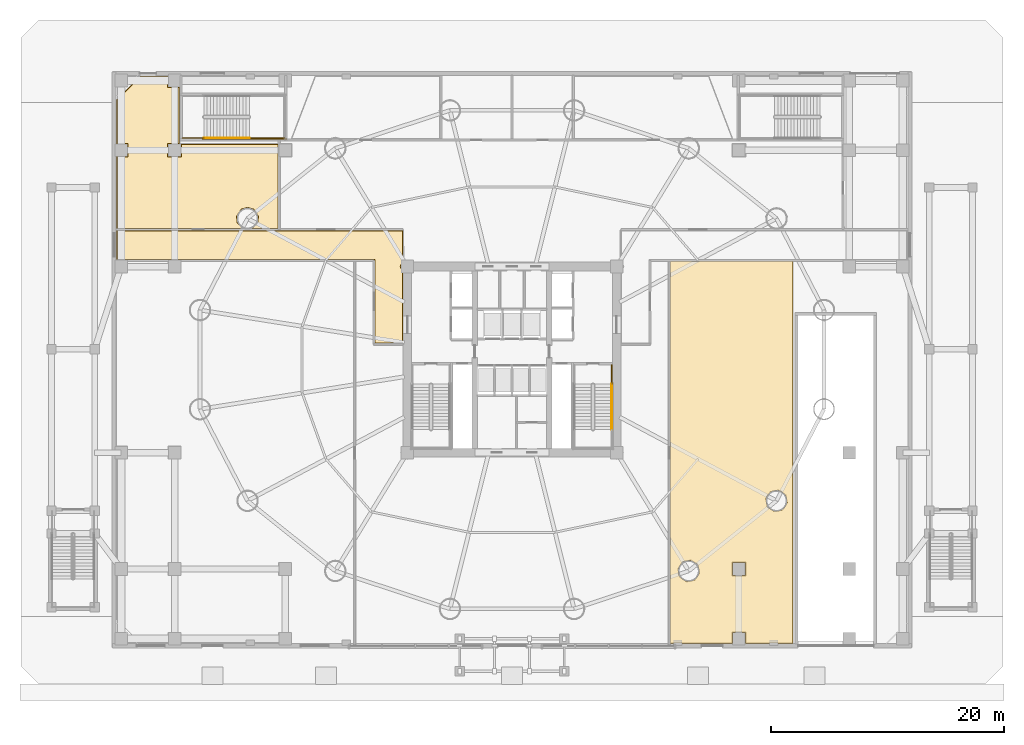
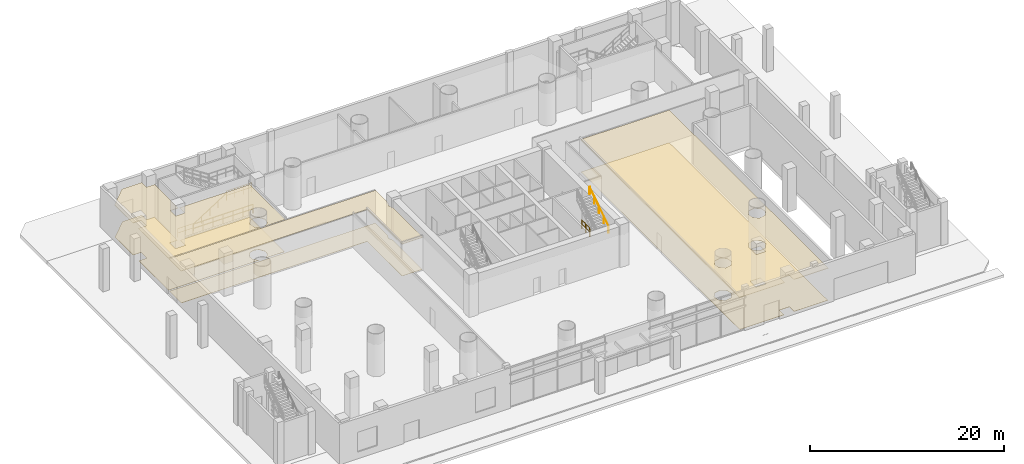
# One storey, part 19 of 25: 6 coverings, 6 railings.
"""IFC4 building model written with IfcOpenShell, lengths in metres."""

import ifcopenshell
import ifcopenshell.guid

model = None  # the IFC model being written
_history = None  # IfcOwnerHistory: only IFC2X3 demands one
_inside = {}  # id of a spatial element -> (the spatial element, [elements in it])
_under = {}  # id of a project, library or spatial element -> (it, [spatial elements below it])
_declared = {}  # id of a project -> (the project, [libraries it declares])
_typed = {}  # id of a type object -> (the type object, [elements of that type])
_made_of = {}  # id of a material, layer set ... -> (it, [elements and type objects made of it])


def new_model(schema):
    """Start an empty IFC model of exactly this schema.

    Asked for "IFC4X3", IfcOpenShell would pick the latest addendum, in which some entities
    have other attributes; the version numbers below select the first issue.
    IFC2X3 requires an IfcOwnerHistory on every rooted entity: one is made here for all.
    """
    global model, _history
    if schema == "IFC4X3":
        model = ifcopenshell.file(schema_version=(4, 3, 0, 0))
    else:
        model = ifcopenshell.file(schema=schema)
    _inside.clear()
    _under.clear()
    _declared.clear()
    _typed.clear()
    _made_of.clear()
    _history = None
    if model.schema == "IFC2X3":
        org = make("IfcOrganization", Name="unknown")
        user = make(
            "IfcPersonAndOrganization",
            ThePerson=make("IfcPerson", FamilyName="unknown"),
            TheOrganization=org,
        )
        app = make(
            "IfcApplication",
            ApplicationDeveloper=org,
            Version="unknown",
            ApplicationFullName="unknown",
            ApplicationIdentifier="unknown",
        )
        _history = make(
            "IfcOwnerHistory",
            OwningUser=user,
            OwningApplication=app,
            ChangeAction="ADDED",
            CreationDate=0,
        )
    return model


def make(cls, **values):
    """One entity of the class cls with the attributes given. An attribute that is None is left unset."""
    return model.create_entity(
        cls, **{name: value for name, value in values.items() if value is not None}
    )


def rooted(cls, **values):
    """An entity with a GlobalId (a new one), such as an element, a storey or a relation."""
    return make(cls, GlobalId=ifcopenshell.guid.new(), OwnerHistory=_history, **values)


def si_unit(unit_type, name, prefix=None):
    """IfcSIUnit, for example si_unit("LENGTHUNIT", "METRE", prefix="MILLI")."""
    return make("IfcSIUnit", UnitType=unit_type, Prefix=prefix, Name=name)


def assignment(units):
    """IfcUnitAssignment: the units of a project."""
    return None if units is None else make("IfcUnitAssignment", Units=units)


def point(xyz):
    """IfcCartesianPoint."""
    return None if xyz is None else make("IfcCartesianPoint", Coordinates=xyz)


def direction(xyz):
    """IfcDirection."""
    return None if xyz is None else make("IfcDirection", DirectionRatios=xyz)


def frame(location, z_axis=None, x_axis=None):
    """IfcAxis2Placement3D, a coordinate frame: its origin and axes. An axis left out is left unset."""
    return make(
        "IfcAxis2Placement3D",
        Location=point(location),
        Axis=direction(z_axis),
        RefDirection=direction(x_axis),
    )


def frame_2d(location, x_axis=None):
    """IfcAxis2Placement2D, a coordinate frame in the plane: its origin and x axis."""
    return make(
        "IfcAxis2Placement2D", Location=point(location), RefDirection=direction(x_axis)
    )


def origin():
    """The frame at (0, 0, 0) with its axes left unset."""
    return frame((0.0, 0.0, 0.0))


def origin_2d():
    """The frame at (0, 0) in the plane with its x axis left unset."""
    return frame_2d((0.0, 0.0))


def place(relative_to, where):
    """IfcLocalPlacement: puts the frame where relative to a parent placement (None: the world)."""
    return make(
        "IfcLocalPlacement", PlacementRelTo=relative_to, RelativePlacement=where
    )


def context(
    kind, dimensions, precision=None, world=None, true_north=None, identifier=None
):
    """IfcGeometricRepresentationContext, for example the 3D "Model" context."""
    return make(
        "IfcGeometricRepresentationContext",
        ContextIdentifier=identifier,
        ContextType=kind,
        CoordinateSpaceDimension=dimensions,
        Precision=precision,
        WorldCoordinateSystem=world,
        TrueNorth=true_north,
    )


def subcontext(parent, identifier, kind, view, scale=None):
    """IfcGeometricRepresentationSubContext, for example "Body" below "Model"."""
    return make(
        "IfcGeometricRepresentationSubContext",
        ContextIdentifier=identifier,
        ContextType=kind,
        ParentContext=parent,
        TargetScale=scale,
        TargetView=view,
    )


def project(units=None, contexts=None):
    """IfcProject with its units and contexts."""
    return rooted(
        "IfcProject",
        Name="project",
        RepresentationContexts=contexts,
        UnitsInContext=assignment(units),
    )


def spatial(cls, under=None, at=None, **own):
    """A site, building, storey or space (cls), placed at a placement, below another one or the project."""
    s = rooted(cls, ObjectPlacement=at, **own)
    if under is not None:
        _under.setdefault(under.id(), (under, []))[1].append(s)
    return s


def polyline(points):
    """IfcPolyline through the points."""
    return make("IfcPolyline", Points=[point(p) for p in points])


def profile(cls, at=None, kind="AREA", **sizes):
    """A parametric profile (cls). Its sizes go by their IFC names, for example OverallWidth=200.0."""
    return make(cls, ProfileType=kind, Position=at, **sizes)


def rectangle(**sizes):
    """IfcRectangleProfileDef."""
    return profile("IfcRectangleProfileDef", **sizes)


def outline(outer, holes=None, kind="AREA"):
    """IfcArbitraryClosedProfileDef: a profile drawn as a closed curve; with holes, ...WithVoids."""
    if holes is None:
        return make("IfcArbitraryClosedProfileDef", ProfileType=kind, OuterCurve=outer)
    return make(
        "IfcArbitraryProfileDefWithVoids",
        ProfileType=kind,
        OuterCurve=outer,
        InnerCurves=holes,
    )


def extrude(swept, where, along, depth):
    """IfcExtrudedAreaSolid: the profile swept, set in the frame where, extruded along a direction by depth."""
    return make(
        "IfcExtrudedAreaSolid",
        SweptArea=swept,
        Position=where,
        ExtrudedDirection=direction(along),
        Depth=depth,
    )


def shape(context_of_items, identifier, shape_type, items):
    """IfcShapeRepresentation: the items that make up one representation, for example the "Body"."""
    return make(
        "IfcShapeRepresentation",
        ContextOfItems=context_of_items,
        RepresentationIdentifier=identifier,
        RepresentationType=shape_type,
        Items=items,
    )


def material(Name=None, Category=None):
    """IfcMaterial."""
    return make("IfcMaterial", Name=Name, Category=Category)


def layer(
    of_material, thickness, ventilated=None, Name=None, Category=None, Priority=None
):
    """IfcMaterialLayer: one layer of a wall or slab, of a material (None: an air gap)."""
    return make(
        "IfcMaterialLayer",
        Material=of_material,
        LayerThickness=thickness,
        IsVentilated=ventilated,
        Name=Name,
        Category=Category,
        Priority=Priority,
    )


def layer_set(layers, Name=None):
    """IfcMaterialLayerSet."""
    return make("IfcMaterialLayerSet", MaterialLayers=layers, LayerSetName=Name)


def made_of(thing, what):
    """Note that an element or type object is made of a material, layer set ...; save() writes the relation."""
    if what is not None:
        _made_of.setdefault(what.id(), (what, []))[1].append(thing)
    return thing


def type_object(cls, material=None, **own):
    """A type object (cls), such as IfcWallType, which elements share."""
    return made_of(rooted(cls, **own), material)


def element(
    cls,
    number,
    at=None,
    inside=None,
    cuts=None,
    type_object=None,
    material=None,
    context=None,
    identifier="Body",
    shape_type=None,
    held_by="IfcProductDefinitionShape",
    body=None,
    shapes=None,
    **own,
):
    """One element of the class cls, such as IfcWall. Its Tag is "e" and its number.

    at: its placement. inside: the storey or other place that contains it. cuts: it is an
    opening in that element (IfcRelVoidsElement). A single representation is given by context,
    identifier, shape_type and body (its items); several are given by shapes. held_by: the class
    of the entity that holds the representations. save() writes the other relations.
    """
    e = rooted(cls, Tag="e%d" % number, ObjectPlacement=at, **own)
    if body is not None:
        shapes = [shape(context, identifier, shape_type, body)]
    if shapes is not None:
        e.Representation = make(held_by, Representations=shapes)
    if inside is not None:
        _inside.setdefault(inside.id(), (inside, []))[1].append(e)
    if cuts is not None:
        rooted(
            "IfcRelVoidsElement", RelatingBuildingElement=cuts, RelatedOpeningElement=e
        )
    if type_object is not None:
        _typed.setdefault(type_object.id(), (type_object, []))[1].append(e)
    return made_of(e, material)


def aggregate(whole, parts):
    """IfcRelAggregates: a whole, such as a stair, and the parts it consists of."""
    return rooted("IfcRelAggregates", RelatingObject=whole, RelatedObjects=parts)


def save(model, path):
    """Write the relations noted so far, then the file.

    IfcRelAggregates (storeys below a building ...), IfcRelContainedInSpatialStructure (elements
    in a storey), IfcRelDefinesByType, IfcRelAssociatesMaterial and IfcRelDeclares: one each for
    every whole, place, type object, material and project.
    """
    for whole, parts in _under.values():
        aggregate(whole, parts)
    for where, things in _inside.values():
        rooted(
            "IfcRelContainedInSpatialStructure",
            RelatedElements=things,
            RelatingStructure=where,
        )
    for kind, things in _typed.values():
        rooted("IfcRelDefinesByType", RelatedObjects=things, RelatingType=kind)
    for what, things in _made_of.values():
        rooted("IfcRelAssociatesMaterial", RelatedObjects=things, RelatingMaterial=what)
    for by, libraries in _declared.values():
        rooted("IfcRelDeclares", RelatingContext=by, RelatedDefinitions=libraries)
    model.write(path)


model = new_model("IFC4")

# Units and contexts
model_context = context("Model", 3, precision=1e-05, world=origin(), true_north=direction((-0.2419218956, 0.970295726276)))
body_context = subcontext(model_context, "Body", "Model", "MODEL_VIEW")
ifc_project = project(units=[si_unit("LENGTHUNIT", "METRE"), si_unit("AREAUNIT", "SQUARE_METRE"), si_unit("VOLUMEUNIT", "CUBIC_METRE"), si_unit("PLANEANGLEUNIT", "RADIAN"), si_unit("MASSUNIT", "GRAM", prefix="KILO")], contexts=[model_context])

# Site, building, storey
site_placement = place(None, origin())
site = spatial("IfcSite", under=ifc_project, at=site_placement, CompositionType="ELEMENT")
building_placement = place(site_placement, origin())
building = spatial("IfcBuilding", under=site, at=building_placement, Name="Cobrevalo Terracotta Tower", CompositionType="ELEMENT")
storey_placement = place(building_placement, origin())
storey = spatial("IfcBuildingStorey", under=building, at=storey_placement, Name="L00", CompositionType="ELEMENT", Elevation=0.0)

# Coverings
ifc_material_1 = material(Name="Honed terracotta and granite tile", Category="masonry")
ifc_layer_1 = layer(ifc_material_1, 0.034912109375)
ifc_layer_set_1 = layer_set([ifc_layer_1], Name="Honed terracotta and granite tile")
covering_type_1 = type_object("IfcCoveringType", Name="Honed Terracotta & Granite Interior Flooring 35", PredefinedType="FLOORING", material=ifc_layer_set_1)
covering_1_placement = place(storey_placement, origin())
element("IfcCovering", 1, at=covering_1_placement, inside=storey, type_object=covering_type_1, Name="West Protected Exit Discharge Passage floor finish", PredefinedType="FLOORING", context=body_context, shape_type="SweptSolid", body=[
    extrude(outline(polyline([(28.60498046875, 37.8798828125), (28.60498046875, 35.267822265625), (28.379638671875, 34.800048828125), (28.60498046875, 34.33203125), (28.60498046875, 28.219970703125), (26.219970703125, 28.219970703125), (26.219970703125, 35.419921875), (4.0400390625, 35.419921875), (4.0400390625, 37.8798828125), (28.60498046875, 37.8798828125)])), origin(), (0.0, 0.0, 1.0), 0.030029296875),
])
covering_2_placement = place(storey_placement, origin())
element("IfcCovering", 2, at=covering_2_placement, inside=storey, type_object=covering_type_1, Name="South-East Cafe and Bakery Gallery floor finish", PredefinedType="FLOORING", context=body_context, shape_type="SweptSolid", body=[
    extrude(outline(polyline([(51.6201171875, 35.219970703125), (62.1298828125, 35.219970703125), (62.1298828125, 2.43994140625), (58.10009765625, 2.43994140625), (58.10009765625, 3.39990234375), (56.89990234375, 3.39990234375), (56.89990234375, 2.43994140625), (51.6201171875, 2.43994140625), (51.6201171875, 35.219970703125)]), holes=[polyline([(61.274169921875, 13.862548828125), (61.682373046875, 14.473388671875), (61.5390625, 15.194091796875), (60.927978515625, 15.6025390625), (60.207275390625, 15.458984375), (59.799072265625, 14.84814453125), (59.9423828125, 14.12744140625), (60.553466796875, 13.71923828125), (61.274169921875, 13.862548828125)]), polyline([(56.89990234375, 9.39990234375), (56.89990234375, 8.199951171875), (58.10009765625, 8.199951171875), (58.10009765625, 9.39990234375), (56.89990234375, 9.39990234375)]), polyline([(53.728271484375, 7.833984375), (54.136474609375, 8.445068359375), (53.9931640625, 9.165771484375), (53.382080078125, 9.573974609375), (52.661376953125, 9.4306640625), (52.253173828125, 8.819580078125), (52.396484375, 8.098876953125), (53.007568359375, 7.690673828125), (53.728271484375, 7.833984375)])]), origin(), (0.0, 0.0, 1.0), 0.030029296875),
])
covering_3_placement = place(storey_placement, origin())
element("IfcCovering", 3, at=covering_3_placement, inside=storey, type_object=covering_type_1, Name="North-West Florist Salon floor finish", PredefinedType="FLOORING", context=body_context, shape_type="SweptSolid", body=[
    extrude(outline(polyline([(6.078369140625, 51.159912109375), (8.39990234375, 51.159912109375), (8.39990234375, 50.199951171875), (9.35009765625, 50.199951171875), (9.35009765625, 45.39990234375), (8.39990234375, 45.39990234375), (8.39990234375, 44.199951171875), (9.60009765625, 44.199951171875), (9.60009765625, 45.280029296875), (17.8798828125, 45.280029296875), (17.8798828125, 38.080078125), (15.6787109375, 38.080078125), (16.146240234375, 38.57177734375), (16.200927734375, 39.12646484375), (15.792724609375, 39.737548828125), (15.25927734375, 39.8994140625), (14.725830078125, 39.737548828125), (14.317626953125, 39.12646484375), (14.372314453125, 38.57177734375), (14.83984375, 38.080078125), (4.0400390625, 38.080078125), (4.0400390625, 44.199951171875), (5.0, 44.199951171875), (5.0, 45.39990234375), (4.0400390625, 45.39990234375), (4.0400390625, 49.121826171875), (6.078369140625, 51.159912109375)])), origin(), (0.0, 0.0, 1.0), 0.030029296875),
])
ifc_material_2 = material(Name="Acoustic perforated gypsum ceiling", Category="gypsum")
ifc_layer_2 = layer(ifc_material_2, 0.050048828125)
ifc_layer_set_2 = layer_set([ifc_layer_2], Name="Acoustic perforated gypsum ceiling")
covering_type_2 = type_object("IfcCoveringType", Name="Perforated Acoustic Gypsum Ceiling 50", PredefinedType="CEILING", material=ifc_layer_set_2)
covering_4_placement = place(storey_placement, frame((0.0, 0.0, 4.06005859375)))
element("IfcCovering", 4, at=covering_4_placement, inside=storey, type_object=covering_type_2, Name="West Protected Exit Discharge Passage acoustic ceiling", PredefinedType="CEILING", context=body_context, shape_type="SweptSolid", body=[
    extrude(outline(polyline([(28.64990234375, 37.925048828125), (28.64990234375, 35.243896484375), (28.425537109375, 34.800048828125), (28.64990234375, 34.356201171875), (28.64990234375, 28.175048828125), (26.175048828125, 28.175048828125), (26.175048828125, 35.375), (3.9951171875, 35.375), (3.9951171875, 37.925048828125), (28.64990234375, 37.925048828125)])), origin(), (0.0, 0.0, 1.0), 0.050048828125),
])
covering_5_placement = place(storey_placement, frame((0.0, 0.0, 4.06005859375)))
element("IfcCovering", 5, at=covering_5_placement, inside=storey, type_object=covering_type_2, Name="South-East Cafe and Bakery Gallery acoustic ceiling", PredefinedType="CEILING", context=body_context, shape_type="SweptSolid", body=[
    extrude(outline(polyline([(51.574951171875, 35.264892578125), (62.175048828125, 35.264892578125), (62.175048828125, 2.39501953125), (58.054931640625, 2.39501953125), (58.054931640625, 3.35498046875), (56.945068359375, 3.35498046875), (56.945068359375, 2.39501953125), (51.574951171875, 2.39501953125), (51.574951171875, 35.264892578125)]), holes=[polyline([(61.2490234375, 13.900146484375), (61.637939453125, 14.482421875), (61.50146484375, 15.169189453125), (60.919189453125, 15.55810546875), (60.232421875, 15.42138671875), (59.843505859375, 14.83935546875), (59.97998046875, 14.152587890625), (60.562255859375, 13.763427734375), (61.2490234375, 13.900146484375)]), polyline([(56.945068359375, 9.35498046875), (56.945068359375, 8.2451171875), (58.054931640625, 8.2451171875), (58.054931640625, 9.35498046875), (56.945068359375, 9.35498046875)]), polyline([(53.703125, 7.87158203125), (54.092041015625, 8.453857421875), (53.95556640625, 9.140625), (53.373291015625, 9.52978515625), (52.6865234375, 9.39306640625), (52.297607421875, 8.810791015625), (52.43408203125, 8.1240234375), (53.016357421875, 7.735107421875), (53.703125, 7.87158203125)])]), origin(), (0.0, 0.0, 1.0), 0.050048828125),
])
covering_6_placement = place(storey_placement, frame((0.0, 0.0, 4.06005859375)))
element("IfcCovering", 6, at=covering_6_placement, inside=storey, type_object=covering_type_2, Name="North-West Florist Salon acoustic ceiling", PredefinedType="CEILING", context=body_context, shape_type="SweptSolid", body=[
    extrude(outline(polyline([(6.0595703125, 51.205078125), (8.445068359375, 51.205078125), (8.445068359375, 50.2451171875), (9.39501953125, 50.2451171875), (9.39501953125, 45.35498046875), (8.445068359375, 45.35498046875), (8.445068359375, 44.2451171875), (9.554931640625, 44.2451171875), (9.554931640625, 45.324951171875), (17.925048828125, 45.324951171875), (17.925048828125, 38.034912109375), (15.4990234375, 38.034912109375), (16.02001953125, 38.430908203125), (16.156494140625, 39.11767578125), (15.767578125, 39.699951171875), (15.25927734375, 39.85400390625), (14.7509765625, 39.699951171875), (14.362060546875, 39.11767578125), (14.49853515625, 38.430908203125), (15.01953125, 38.034912109375), (3.9951171875, 38.034912109375), (3.9951171875, 44.2451171875), (4.955078125, 44.2451171875), (4.955078125, 45.35498046875), (3.9951171875, 45.35498046875), (3.9951171875, 49.140380859375), (6.0595703125, 51.205078125)])), origin(), (0.0, 0.0, 1.0), 0.050048828125),
])

# Railings
ifc_material_3 = material(Name="Brushed stainless steel", Category="steel")
railing_type_1 = type_object("IfcRailingType", Name="Stainless Steel Stair Handrail 900", PredefinedType="HANDRAIL", material=ifc_material_3)
railing_1_placement = place(storey_placement, frame((46.574951171875, 20.780029296875, 2.8798828125)))
element("IfcRailing", 7, at=railing_1_placement, inside=storey, type_object=railing_type_1, Name="L00 ST-2 stair handrail 2", PredefinedType="HANDRAIL", context=body_context, shape_type="SweptSolid", body=[
    extrude(rectangle(XDim=0.048095703125, YDim=0.048095703125, at=origin_2d()), frame((0.0, 0.0, 0.8759765625), z_axis=(0.0, 0.841171666519, 0.540768182723), x_axis=(-1.0, 0.0, 0.0)), (0.0, 0.0, 1.0), 4.66015625),
    extrude(rectangle(XDim=0.0419921875, YDim=0.0419921875, at=origin_2d()), origin(), (0.0, 0.0, 1.0), 0.851806640625),
    extrude(rectangle(XDim=0.0419921875, YDim=0.0419921875, at=origin_2d()), frame((0.0, 0.97998046875, 0.6298828125)), (0.0, 0.0, 1.0), 0.851806640625),
    extrude(rectangle(XDim=0.0419921875, YDim=0.0419921875, at=origin_2d()), frame((0.0, 1.9599609375, 1.260009765625)), (0.0, 0.0, 1.0), 0.851806640625),
    extrude(rectangle(XDim=0.0419921875, YDim=0.0419921875, at=origin_2d()), frame((0.0, 2.93994140625, 1.89013671875)), (0.0, 0.0, 1.0), 0.851806640625),
    extrude(rectangle(XDim=0.0419921875, YDim=0.0419921875, at=origin_2d()), frame((0.0, 3.919921875, 2.52001953125)), (0.0, 0.0, 1.0), 0.851806640625),
])
railing_2_placement = place(storey_placement, frame((11.5, 45.85009765625, 0.179931640625)))
element("IfcRailing", 8, at=railing_2_placement, inside=storey, type_object=railing_type_1, Name="L00 ST-P1 stair handrail 1", PredefinedType="HANDRAIL", context=body_context, shape_type="SweptSolid", body=[
    extrude(rectangle(XDim=0.048095703125, YDim=0.048095703125, at=origin_2d()), frame((0.0, 0.0, 0.8759765625), z_axis=(0.841171666519, 0.0, 0.540768182723), x_axis=(0.0, 1.0, 0.0)), (0.0, 0.0, 1.0), 4.66015625),
    extrude(rectangle(XDim=0.0419921875, YDim=0.0419921875, at=origin_2d()), origin(), (0.0, 0.0, 1.0), 0.851806640625),
    extrude(rectangle(XDim=0.0419921875, YDim=0.0419921875, at=origin_2d()), frame((0.97998046875, 0.0, 0.6298828125)), (0.0, 0.0, 1.0), 0.851806640625),
    extrude(rectangle(XDim=0.0419921875, YDim=0.0419921875, at=origin_2d()), frame((1.9599609375, 0.0, 1.260009765625)), (0.0, 0.0, 1.0), 0.851806640625),
    extrude(rectangle(XDim=0.0419921875, YDim=0.0419921875, at=origin_2d()), frame((2.93994140625, 0.0, 1.89013671875)), (0.0, 0.0, 1.0), 0.851806640625),
    extrude(rectangle(XDim=0.0419921875, YDim=0.0419921875, at=origin_2d()), frame((3.919921875, 0.0, 2.52001953125)), (0.0, 0.0, 1.0), 0.851806640625),
])
ifc_material_4 = material(Name="Painted galvanized steel", Category="steel")
railing_type_2 = type_object("IfcRailingType", Name="Stair Well Guard Balustrade 1150", PredefinedType="GUARDRAIL", material=ifc_material_4)
railing_3_placement = place(storey_placement, frame((46.574951171875, 26.35009765625, 0.0)))
element("IfcRailing", 9, at=railing_3_placement, inside=storey, type_object=railing_type_2, Name="L00 ST-2 stair guard 9", PredefinedType="GUARDRAIL", context=body_context, shape_type="SweptSolid", body=[
    extrude(rectangle(XDim=0.048095703125, YDim=0.048095703125, at=origin_2d()), frame((0.0, 0.0, 1.1259765625), z_axis=(0.0, -1.0, 0.0), x_axis=(1.0, 0.0, 0.0)), (0.0, 0.0, 1.0), 1.650146484375),
    extrude(rectangle(XDim=0.048095703125, YDim=0.048095703125, at=origin_2d()), frame((0.0, 0.0, 0.574951171875), z_axis=(0.0, -1.0, 0.0), x_axis=(1.0, 0.0, 0.0)), (0.0, 0.0, 1.0), 1.650146484375),
    extrude(rectangle(XDim=0.0419921875, YDim=0.0419921875, at=origin_2d()), origin(), (0.0, 0.0, 1.0), 1.101806640625),
    extrude(rectangle(XDim=0.0419921875, YDim=0.0419921875, at=origin_2d()), frame((0.0, -0.8251953125, 0.0)), (0.0, 0.0, 1.0), 1.101806640625),
    extrude(rectangle(XDim=0.0419921875, YDim=0.0419921875, at=origin_2d()), frame((0.0, -1.650146484375, 0.0)), (0.0, 0.0, 1.0), 1.101806640625),
])
railing_4_placement = place(storey_placement, frame((15.419921875, 45.85009765625, 2.699951171875)))
element("IfcRailing", 10, at=railing_4_placement, inside=storey, type_object=railing_type_2, Name="L00 ST-P1 stair guard 3", PredefinedType="GUARDRAIL", context=body_context, shape_type="SweptSolid", body=[
    extrude(rectangle(XDim=0.048095703125, YDim=0.048095703125, at=origin_2d()), frame((0.0, 0.0, 1.1259765625), z_axis=(1.0, 0.0, 0.0), x_axis=(0.0, 1.0, 0.0)), (0.0, 0.0, 1.0), 3.030029296875),
    extrude(rectangle(XDim=0.048095703125, YDim=0.048095703125, at=origin_2d()), frame((0.0, 0.0, 0.574951171875), z_axis=(1.0, 0.0, 0.0), x_axis=(0.0, 1.0, 0.0)), (0.0, 0.0, 1.0), 3.030029296875),
    extrude(rectangle(XDim=0.0419921875, YDim=0.0419921875, at=origin_2d()), origin(), (0.0, 0.0, 1.0), 1.101806640625),
    extrude(rectangle(XDim=0.0419921875, YDim=0.0419921875, at=origin_2d()), frame((1.010009765625, 0.0, 0.0)), (0.0, 0.0, 1.0), 1.101806640625),
    extrude(rectangle(XDim=0.0419921875, YDim=0.0419921875, at=origin_2d()), frame((2.02001953125, 0.0, 0.0)), (0.0, 0.0, 1.0), 1.101806640625),
    extrude(rectangle(XDim=0.0419921875, YDim=0.0419921875, at=origin_2d()), frame((3.030029296875, 0.0, 0.0)), (0.0, 0.0, 1.0), 1.101806640625),
])
railing_5_placement = place(storey_placement, frame((9.64990234375, 45.85009765625, 0.0)))
element("IfcRailing", 11, at=railing_5_placement, inside=storey, type_object=railing_type_2, Name="L00 ST-P1 stair guard 8", PredefinedType="GUARDRAIL", context=body_context, shape_type="SweptSolid", body=[
    extrude(rectangle(XDim=0.048095703125, YDim=0.048095703125, at=origin_2d()), frame((0.0, 0.0, 1.1259765625), z_axis=(1.0, 0.0, 0.0), x_axis=(0.0, 1.0, 0.0)), (0.0, 0.0, 1.0), 1.85009765625),
    extrude(rectangle(XDim=0.048095703125, YDim=0.048095703125, at=origin_2d()), frame((0.0, 0.0, 0.574951171875), z_axis=(1.0, 0.0, 0.0), x_axis=(0.0, 1.0, 0.0)), (0.0, 0.0, 1.0), 1.85009765625),
    extrude(rectangle(XDim=0.0419921875, YDim=0.0419921875, at=origin_2d()), origin(), (0.0, 0.0, 1.0), 1.101806640625),
    extrude(rectangle(XDim=0.0419921875, YDim=0.0419921875, at=origin_2d()), frame((0.925048828125, 0.0, 0.0)), (0.0, 0.0, 1.0), 1.101806640625),
    extrude(rectangle(XDim=0.0419921875, YDim=0.0419921875, at=origin_2d()), frame((1.85009765625, 0.0, 0.0)), (0.0, 0.0, 1.0), 1.101806640625),
])
railing_6_placement = place(storey_placement, frame((11.39990234375, 45.75, 0.0)))
element("IfcRailing", 12, at=railing_6_placement, inside=storey, type_object=railing_type_2, Name="L00 ST-P1 stair guard 10", PredefinedType="GUARDRAIL", context=body_context, shape_type="SweptSolid", body=[
    extrude(rectangle(XDim=0.048095703125, YDim=0.048095703125, at=origin_2d()), frame((0.0, 0.0, 1.1259765625), z_axis=(1.0, 0.0, 0.0), x_axis=(0.0, 1.0, 0.0)), (0.0, 0.0, 1.0), 7.150146484375),
    extrude(rectangle(XDim=0.048095703125, YDim=0.048095703125, at=origin_2d()), frame((0.0, 0.0, 0.574951171875), z_axis=(1.0, 0.0, 0.0), x_axis=(0.0, 1.0, 0.0)), (0.0, 0.0, 1.0), 7.150146484375),
    extrude(rectangle(XDim=0.0419921875, YDim=0.0419921875, at=origin_2d()), origin(), (0.0, 0.0, 1.0), 1.101806640625),
    extrude(rectangle(XDim=0.0419921875, YDim=0.0419921875, at=origin_2d()), frame((1.191650390625, 0.0, 0.0)), (0.0, 0.0, 1.0), 1.101806640625),
    extrude(rectangle(XDim=0.0419921875, YDim=0.0419921875, at=origin_2d()), frame((2.38330078125, 0.0, 0.0)), (0.0, 0.0, 1.0), 1.101806640625),
    extrude(rectangle(XDim=0.0419921875, YDim=0.0419921875, at=origin_2d()), frame((3.5751953125, 0.0, 0.0)), (0.0, 0.0, 1.0), 1.101806640625),
    extrude(rectangle(XDim=0.0419921875, YDim=0.0419921875, at=origin_2d()), frame((4.766845703125, 0.0, 0.0)), (0.0, 0.0, 1.0), 1.101806640625),
    extrude(rectangle(XDim=0.0419921875, YDim=0.0419921875, at=origin_2d()), frame((5.95849609375, 0.0, 0.0)), (0.0, 0.0, 1.0), 1.101806640625),
    extrude(rectangle(XDim=0.0419921875, YDim=0.0419921875, at=origin_2d()), frame((7.150146484375, 0.0, 0.0)), (0.0, 0.0, 1.0), 1.101806640625),
])

save(model, "model.ifc")
